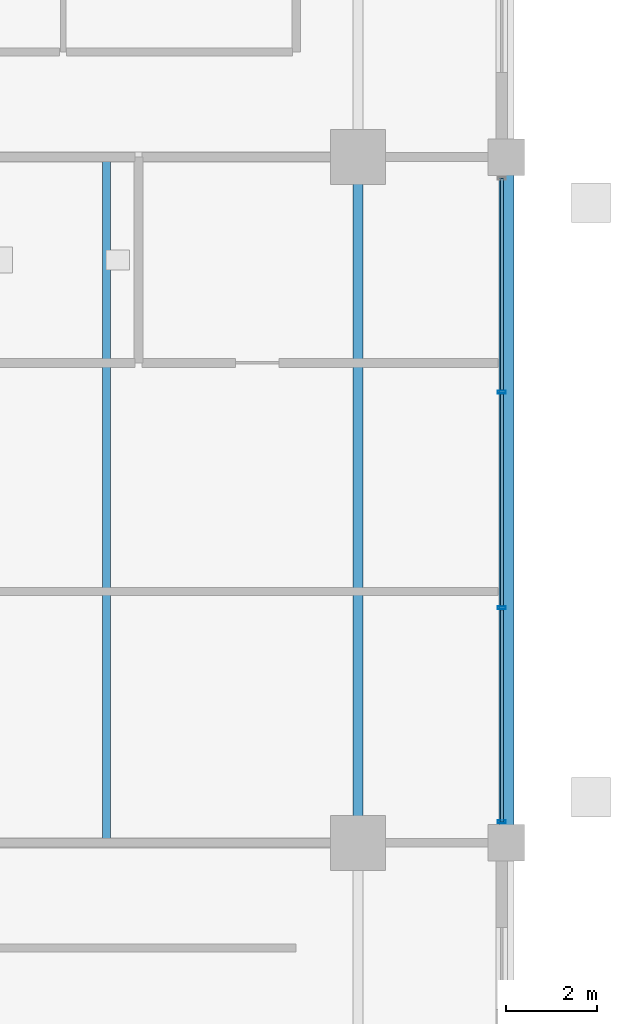
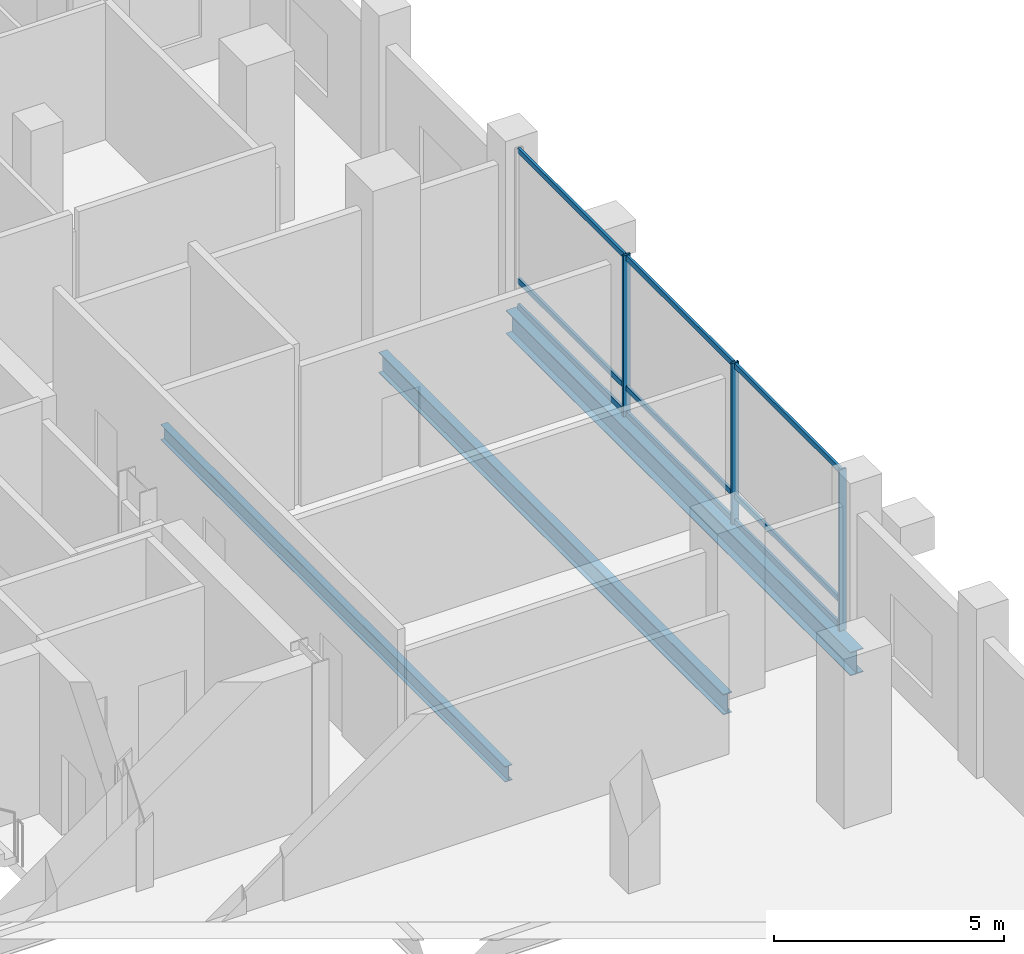
# One storey, part 7 of 19: 12 members, 3 beams, 1 element without a shape of its own.
"""IFC4 building model written with IfcOpenShell, lengths in metres."""

import ifcopenshell
import ifcopenshell.guid

model = None  # the IFC model being written
_history = None  # IfcOwnerHistory: only IFC2X3 demands one
_inside = {}  # id of a spatial element -> (the spatial element, [elements in it])
_under = {}  # id of a project, library or spatial element -> (it, [spatial elements below it])
_declared = {}  # id of a project -> (the project, [libraries it declares])
_typed = {}  # id of a type object -> (the type object, [elements of that type])
_made_of = {}  # id of a material, layer set ... -> (it, [elements and type objects made of it])


def new_model(schema):
    """Start an empty IFC model of exactly this schema.

    Asked for "IFC4X3", IfcOpenShell would pick the latest addendum, in which some entities
    have other attributes; the version numbers below select the first issue.
    IFC2X3 requires an IfcOwnerHistory on every rooted entity: one is made here for all.
    """
    global model, _history
    if schema == "IFC4X3":
        model = ifcopenshell.file(schema_version=(4, 3, 0, 0))
    else:
        model = ifcopenshell.file(schema=schema)
    _inside.clear()
    _under.clear()
    _declared.clear()
    _typed.clear()
    _made_of.clear()
    _history = None
    if model.schema == "IFC2X3":
        org = make("IfcOrganization", Name="unknown")
        user = make(
            "IfcPersonAndOrganization",
            ThePerson=make("IfcPerson", FamilyName="unknown"),
            TheOrganization=org,
        )
        app = make(
            "IfcApplication",
            ApplicationDeveloper=org,
            Version="unknown",
            ApplicationFullName="unknown",
            ApplicationIdentifier="unknown",
        )
        _history = make(
            "IfcOwnerHistory",
            OwningUser=user,
            OwningApplication=app,
            ChangeAction="ADDED",
            CreationDate=0,
        )
    return model


def make(cls, **values):
    """One entity of the class cls with the attributes given. An attribute that is None is left unset."""
    return model.create_entity(
        cls, **{name: value for name, value in values.items() if value is not None}
    )


def rooted(cls, **values):
    """An entity with a GlobalId (a new one), such as an element, a storey or a relation."""
    return make(cls, GlobalId=ifcopenshell.guid.new(), OwnerHistory=_history, **values)


def si_unit(unit_type, name, prefix=None):
    """IfcSIUnit, for example si_unit("LENGTHUNIT", "METRE", prefix="MILLI")."""
    return make("IfcSIUnit", UnitType=unit_type, Prefix=prefix, Name=name)


def assignment(units):
    """IfcUnitAssignment: the units of a project."""
    return None if units is None else make("IfcUnitAssignment", Units=units)


def point(xyz):
    """IfcCartesianPoint."""
    return None if xyz is None else make("IfcCartesianPoint", Coordinates=xyz)


def direction(xyz):
    """IfcDirection."""
    return None if xyz is None else make("IfcDirection", DirectionRatios=xyz)


def frame(location, z_axis=None, x_axis=None):
    """IfcAxis2Placement3D, a coordinate frame: its origin and axes. An axis left out is left unset."""
    return make(
        "IfcAxis2Placement3D",
        Location=point(location),
        Axis=direction(z_axis),
        RefDirection=direction(x_axis),
    )


def frame_2d(location, x_axis=None):
    """IfcAxis2Placement2D, a coordinate frame in the plane: its origin and x axis."""
    return make(
        "IfcAxis2Placement2D", Location=point(location), RefDirection=direction(x_axis)
    )


def origin():
    """The frame at (0, 0, 0) with its axes left unset."""
    return frame((0.0, 0.0, 0.0))


def origin_2d():
    """The frame at (0, 0) in the plane with its x axis left unset."""
    return frame_2d((0.0, 0.0))


def place(relative_to, where):
    """IfcLocalPlacement: puts the frame where relative to a parent placement (None: the world)."""
    return make(
        "IfcLocalPlacement", PlacementRelTo=relative_to, RelativePlacement=where
    )


def context(
    kind, dimensions, precision=None, world=None, true_north=None, identifier=None
):
    """IfcGeometricRepresentationContext, for example the 3D "Model" context."""
    return make(
        "IfcGeometricRepresentationContext",
        ContextIdentifier=identifier,
        ContextType=kind,
        CoordinateSpaceDimension=dimensions,
        Precision=precision,
        WorldCoordinateSystem=world,
        TrueNorth=true_north,
    )


def subcontext(parent, identifier, kind, view, scale=None):
    """IfcGeometricRepresentationSubContext, for example "Body" below "Model"."""
    return make(
        "IfcGeometricRepresentationSubContext",
        ContextIdentifier=identifier,
        ContextType=kind,
        ParentContext=parent,
        TargetScale=scale,
        TargetView=view,
    )


def project(units=None, contexts=None):
    """IfcProject with its units and contexts."""
    return rooted(
        "IfcProject",
        Name="project",
        RepresentationContexts=contexts,
        UnitsInContext=assignment(units),
    )


def spatial(cls, under=None, at=None, **own):
    """A site, building, storey or space (cls), placed at a placement, below another one or the project."""
    s = rooted(cls, ObjectPlacement=at, **own)
    if under is not None:
        _under.setdefault(under.id(), (under, []))[1].append(s)
    return s


def profile(cls, at=None, kind="AREA", **sizes):
    """A parametric profile (cls). Its sizes go by their IFC names, for example OverallWidth=200.0."""
    return make(cls, ProfileType=kind, Position=at, **sizes)


def hollow_rectangle(**sizes):
    """IfcRectangleHollowProfileDef."""
    return profile("IfcRectangleHollowProfileDef", **sizes)


def i_section(**sizes):
    """IfcIShapeProfileDef."""
    return profile("IfcIShapeProfileDef", **sizes)


def extrude(swept, where, along, depth):
    """IfcExtrudedAreaSolid: the profile swept, set in the frame where, extruded along a direction by depth."""
    return make(
        "IfcExtrudedAreaSolid",
        SweptArea=swept,
        Position=where,
        ExtrudedDirection=direction(along),
        Depth=depth,
    )


def shape(context_of_items, identifier, shape_type, items):
    """IfcShapeRepresentation: the items that make up one representation, for example the "Body"."""
    return make(
        "IfcShapeRepresentation",
        ContextOfItems=context_of_items,
        RepresentationIdentifier=identifier,
        RepresentationType=shape_type,
        Items=items,
    )


def material(Name=None, Category=None):
    """IfcMaterial."""
    return make("IfcMaterial", Name=Name, Category=Category)


def layer(
    of_material, thickness, ventilated=None, Name=None, Category=None, Priority=None
):
    """IfcMaterialLayer: one layer of a wall or slab, of a material (None: an air gap)."""
    return make(
        "IfcMaterialLayer",
        Material=of_material,
        LayerThickness=thickness,
        IsVentilated=ventilated,
        Name=Name,
        Category=Category,
        Priority=Priority,
    )


def layer_set(layers, Name=None):
    """IfcMaterialLayerSet."""
    return make("IfcMaterialLayerSet", MaterialLayers=layers, LayerSetName=Name)


def material_profile(
    of_material, cross_section, Name=None, Category=None, Priority=None
):
    """IfcMaterialProfile: a cross section and its material."""
    return make(
        "IfcMaterialProfile",
        Name=Name,
        Material=of_material,
        Profile=cross_section,
        Priority=Priority,
        Category=Category,
    )


def profile_set(profiles, Name=None, composite=None):
    """IfcMaterialProfileSet."""
    return make(
        "IfcMaterialProfileSet",
        Name=Name,
        MaterialProfiles=profiles,
        CompositeProfile=composite,
    )


def made_of(thing, what):
    """Note that an element or type object is made of a material, layer set ...; save() writes the relation."""
    if what is not None:
        _made_of.setdefault(what.id(), (what, []))[1].append(thing)
    return thing


def type_object(cls, material=None, **own):
    """A type object (cls), such as IfcWallType, which elements share."""
    return made_of(rooted(cls, **own), material)


def element(
    cls,
    number,
    at=None,
    inside=None,
    cuts=None,
    type_object=None,
    material=None,
    context=None,
    identifier="Body",
    shape_type=None,
    held_by="IfcProductDefinitionShape",
    body=None,
    shapes=None,
    **own,
):
    """One element of the class cls, such as IfcWall. Its Tag is "e" and its number.

    at: its placement. inside: the storey or other place that contains it. cuts: it is an
    opening in that element (IfcRelVoidsElement). A single representation is given by context,
    identifier, shape_type and body (its items); several are given by shapes. held_by: the class
    of the entity that holds the representations. save() writes the other relations.
    """
    e = rooted(cls, Tag="e%d" % number, ObjectPlacement=at, **own)
    if body is not None:
        shapes = [shape(context, identifier, shape_type, body)]
    if shapes is not None:
        e.Representation = make(held_by, Representations=shapes)
    if inside is not None:
        _inside.setdefault(inside.id(), (inside, []))[1].append(e)
    if cuts is not None:
        rooted(
            "IfcRelVoidsElement", RelatingBuildingElement=cuts, RelatedOpeningElement=e
        )
    if type_object is not None:
        _typed.setdefault(type_object.id(), (type_object, []))[1].append(e)
    return made_of(e, material)


def aggregate(whole, parts):
    """IfcRelAggregates: a whole, such as a stair, and the parts it consists of."""
    return rooted("IfcRelAggregates", RelatingObject=whole, RelatedObjects=parts)


def save(model, path):
    """Write the relations noted so far, then the file.

    IfcRelAggregates (storeys below a building ...), IfcRelContainedInSpatialStructure (elements
    in a storey), IfcRelDefinesByType, IfcRelAssociatesMaterial and IfcRelDeclares: one each for
    every whole, place, type object, material and project.
    """
    for whole, parts in _under.values():
        aggregate(whole, parts)
    for where, things in _inside.values():
        rooted(
            "IfcRelContainedInSpatialStructure",
            RelatedElements=things,
            RelatingStructure=where,
        )
    for kind, things in _typed.values():
        rooted("IfcRelDefinesByType", RelatedObjects=things, RelatingType=kind)
    for what, things in _made_of.values():
        rooted("IfcRelAssociatesMaterial", RelatedObjects=things, RelatingMaterial=what)
    for by, libraries in _declared.values():
        rooted("IfcRelDeclares", RelatingContext=by, RelatedDefinitions=libraries)
    model.write(path)


model = new_model("IFC4")

# Units and contexts
model_context = context("Model", 3, precision=1e-05, world=origin(), true_north=direction((0.0, 1.0)))
body_context = subcontext(model_context, "Body", "Model", "MODEL_VIEW")
ifc_project = project(units=[si_unit("LENGTHUNIT", "METRE"), si_unit("AREAUNIT", "SQUARE_METRE"), si_unit("VOLUMEUNIT", "CUBIC_METRE"), si_unit("PLANEANGLEUNIT", "RADIAN"), si_unit("MASSUNIT", "GRAM", prefix="KILO")], contexts=[model_context])

# Site, building, storey
site_placement = place(None, origin())
site = spatial("IfcSite", under=ifc_project, at=site_placement, CompositionType="ELEMENT")
building_placement = place(site_placement, origin())
building = spatial("IfcBuilding", under=site, at=building_placement, Name="Barlavira Tower and Art Museum", CompositionType="ELEMENT")
storey_placement = place(building_placement, frame((0.0, 0.0, 125.10009765625)))
storey = spatial("IfcBuildingStorey", under=building, at=storey_placement, Name="L31", CompositionType="ELEMENT", Elevation=125.10009765625)

# Curtain wall, members
ifc_material_1 = material(Name="Low-iron coastal laminated glass", Category="glass")
ifc_layer = layer(ifc_material_1, 0.18994140625, Name="Low-iron coastal laminated glass")
ifc_layer_set = layer_set([ifc_layer], Name="Low-iron coastal laminated glass")
curtain_wall_type = type_object("IfcCurtainWallType", Name="Pale-Metal Unitised Curtain Wall Zone 2", PredefinedType="NOTDEFINED", material=ifc_layer_set)
curtain_wall_placement = place(storey_placement, origin())
curtain_wall = element("IfcCurtainWall", 1, at=curtain_wall_placement, inside=storey, type_object=curtain_wall_type, Name="L31 Curtain Wall CW2-L31-E-B3", PredefinedType="NOTDEFINED")
ifc_material_2 = material(Name="Pale anodised aluminium", Category="aluminium")
ifc_material_profile_1 = material_profile(ifc_material_2, hollow_rectangle(XDim=0.06494140625, YDim=0.179931640625, WallThickness=0.00390625, at=origin_2d()), Name="ALU-MULL 65x180x4")
ifc_profile_set_1 = profile_set([ifc_material_profile_1], Name="Pale anodised aluminium")
member_type_1 = type_object("IfcMemberType", Name="Curtain Wall Pale-Metal Mullion 65x180", PredefinedType="MULLION", material=ifc_profile_set_1)
member_1_placement = place(storey_placement, frame((20.14990234375, -7.034912109375, 0.0), z_axis=(0.0, 0.0, 1.0), x_axis=(0.0, 1.0, 0.0)))
member_1 = element("IfcMember", 2, at=member_1_placement, type_object=member_type_1, Name="CW2-L31-E-B3 Mullion 0", PredefinedType="MULLION", context=body_context, shape_type="SweptSolid", body=[
    extrude(hollow_rectangle(XDim=0.06494140625, YDim=0.179931640625, WallThickness=0.00390625, at=origin_2d()), origin(), (0.0, 0.0, 1.0), 4.27978515625),
])
member_2_placement = place(storey_placement, frame((20.14990234375, -2.360107421875, 0.0), z_axis=(0.0, 0.0, 1.0), x_axis=(0.0, 1.0, 0.0)))
member_2 = element("IfcMember", 3, at=member_2_placement, type_object=member_type_1, Name="CW2-L31-E-B3 Mullion 1", PredefinedType="MULLION", context=body_context, shape_type="SweptSolid", body=[
    extrude(hollow_rectangle(XDim=0.06494140625, YDim=0.179931640625, WallThickness=0.00390625, at=origin_2d()), origin(), (0.0, 0.0, 1.0), 4.27978515625),
])
member_3_placement = place(storey_placement, frame((20.14990234375, 2.360107421875, 0.0), z_axis=(0.0, 0.0, 1.0), x_axis=(0.0, 1.0, 0.0)))
member_3 = element("IfcMember", 4, at=member_3_placement, type_object=member_type_1, Name="CW2-L31-E-B3 Mullion 2", PredefinedType="MULLION", context=body_context, shape_type="SweptSolid", body=[
    extrude(hollow_rectangle(XDim=0.06494140625, YDim=0.179931640625, WallThickness=0.00390625, at=origin_2d()), origin(), (0.0, 0.0, 1.0), 4.27978515625),
])
ifc_material_profile_2 = material_profile(ifc_material_2, hollow_rectangle(XDim=0.06494140625, YDim=0.139892578125, WallThickness=0.00390625, at=origin_2d()), Name="ALU-TRAN 65x140x4")
ifc_profile_set_2 = profile_set([ifc_material_profile_2], Name="Pale anodised aluminium")
member_type_2 = type_object("IfcMemberType", Name="Curtain Wall Pale-Metal Transom 65x140", PredefinedType="USERDEFINED", material=ifc_profile_set_2)
member_4_placement = place(storey_placement, frame((20.14990234375, -7.034912109375, 0.06982421875), z_axis=(0.0, 1.0, 0.0), x_axis=(-1.0, 0.0, 0.0)))
member_4 = element("IfcMember", 5, at=member_4_placement, type_object=member_type_2, Name="CW2-L31-E-B3 Transom 0.1", ObjectType="TRANSOM", PredefinedType="USERDEFINED", context=body_context, shape_type="SweptSolid", body=[
    extrude(hollow_rectangle(XDim=0.06494140625, YDim=0.139892578125, WallThickness=0.00390625, at=origin_2d()), origin(), (0.0, 0.0, 1.0), 4.6298828125),
])
member_5_placement = place(storey_placement, frame((20.14990234375, -7.034912109375, 0.75), z_axis=(0.0, 1.0, 0.0), x_axis=(-1.0, 0.0, 0.0)))
member_5 = element("IfcMember", 6, at=member_5_placement, type_object=member_type_2, Name="CW2-L31-E-B3 Transom 0.2", ObjectType="TRANSOM", PredefinedType="USERDEFINED", context=body_context, shape_type="SweptSolid", body=[
    extrude(hollow_rectangle(XDim=0.06494140625, YDim=0.139892578125, WallThickness=0.00390625, at=origin_2d()), origin(), (0.0, 0.0, 1.0), 4.6298828125),
])
member_6_placement = place(storey_placement, frame((20.14990234375, -7.034912109375, 4.2099609375), z_axis=(0.0, 1.0, 0.0), x_axis=(-1.0, 0.0, 0.0)))
member_6 = element("IfcMember", 7, at=member_6_placement, type_object=member_type_2, Name="CW2-L31-E-B3 Transom 0.3", ObjectType="TRANSOM", PredefinedType="USERDEFINED", context=body_context, shape_type="SweptSolid", body=[
    extrude(hollow_rectangle(XDim=0.06494140625, YDim=0.139892578125, WallThickness=0.00390625, at=origin_2d()), origin(), (0.0, 0.0, 1.0), 4.6298828125),
])
member_7_placement = place(storey_placement, frame((20.14990234375, -2.31494140625, 0.06982421875), z_axis=(0.0, 1.0, 0.0), x_axis=(-1.0, 0.0, 0.0)))
member_7 = element("IfcMember", 8, at=member_7_placement, type_object=member_type_2, Name="CW2-L31-E-B3 Transom 1.1", ObjectType="TRANSOM", PredefinedType="USERDEFINED", context=body_context, shape_type="SweptSolid", body=[
    extrude(hollow_rectangle(XDim=0.06494140625, YDim=0.139892578125, WallThickness=0.00390625, at=origin_2d()), origin(), (0.0, 0.0, 1.0), 4.6298828125),
])
member_8_placement = place(storey_placement, frame((20.14990234375, -2.31494140625, 0.75), z_axis=(0.0, 1.0, 0.0), x_axis=(-1.0, 0.0, 0.0)))
member_8 = element("IfcMember", 9, at=member_8_placement, type_object=member_type_2, Name="CW2-L31-E-B3 Transom 1.2", ObjectType="TRANSOM", PredefinedType="USERDEFINED", context=body_context, shape_type="SweptSolid", body=[
    extrude(hollow_rectangle(XDim=0.06494140625, YDim=0.139892578125, WallThickness=0.00390625, at=origin_2d()), origin(), (0.0, 0.0, 1.0), 4.6298828125),
])
member_9_placement = place(storey_placement, frame((20.14990234375, -2.31494140625, 4.2099609375), z_axis=(0.0, 1.0, 0.0), x_axis=(-1.0, 0.0, 0.0)))
member_9 = element("IfcMember", 10, at=member_9_placement, type_object=member_type_2, Name="CW2-L31-E-B3 Transom 1.3", ObjectType="TRANSOM", PredefinedType="USERDEFINED", context=body_context, shape_type="SweptSolid", body=[
    extrude(hollow_rectangle(XDim=0.06494140625, YDim=0.139892578125, WallThickness=0.00390625, at=origin_2d()), origin(), (0.0, 0.0, 1.0), 4.6298828125),
])
member_10_placement = place(storey_placement, frame((20.14990234375, 2.405029296875, 0.06982421875), z_axis=(0.0, 1.0, 0.0), x_axis=(-1.0, 0.0, 0.0)))
member_10 = element("IfcMember", 11, at=member_10_placement, type_object=member_type_2, Name="CW2-L31-E-B3 Transom 2.1", ObjectType="TRANSOM", PredefinedType="USERDEFINED", context=body_context, shape_type="SweptSolid", body=[
    extrude(hollow_rectangle(XDim=0.06494140625, YDim=0.139892578125, WallThickness=0.00390625, at=origin_2d()), origin(), (0.0, 0.0, 1.0), 4.6298828125),
])
member_11_placement = place(storey_placement, frame((20.14990234375, 2.405029296875, 0.75), z_axis=(0.0, 1.0, 0.0), x_axis=(-1.0, 0.0, 0.0)))
member_11 = element("IfcMember", 12, at=member_11_placement, type_object=member_type_2, Name="CW2-L31-E-B3 Transom 2.2", ObjectType="TRANSOM", PredefinedType="USERDEFINED", context=body_context, shape_type="SweptSolid", body=[
    extrude(hollow_rectangle(XDim=0.06494140625, YDim=0.139892578125, WallThickness=0.00390625, at=origin_2d()), origin(), (0.0, 0.0, 1.0), 4.6298828125),
])
member_12_placement = place(storey_placement, frame((20.14990234375, 2.405029296875, 4.2099609375), z_axis=(0.0, 1.0, 0.0), x_axis=(-1.0, 0.0, 0.0)))
member_12 = element("IfcMember", 13, at=member_12_placement, type_object=member_type_2, Name="CW2-L31-E-B3 Transom 2.3", ObjectType="TRANSOM", PredefinedType="USERDEFINED", context=body_context, shape_type="SweptSolid", body=[
    extrude(hollow_rectangle(XDim=0.06494140625, YDim=0.139892578125, WallThickness=0.00390625, at=origin_2d()), origin(), (0.0, 0.0, 1.0), 4.6298828125),
])
aggregate(curtain_wall, [member_1, member_2, member_3, member_4, member_5, member_6, member_7, member_8, member_9, member_10, member_11, member_12])

# Beams
ifc_material_3 = material(Name="Steel S355", Category="steel")
ifc_material_profile_3 = material_profile(ifc_material_3, i_section(OverallWidth=0.327880859375, OverallDepth=0.62890625, WebThickness=0.013916015625, FlangeThickness=0.021484375, at=origin_2d()), Name="W610x174.0")
ifc_profile_set_3 = profile_set([ifc_material_profile_3], Name="Steel S355")
beam_type_1 = type_object("IfcBeamType", Name="Perimeter Spandrel Edge Beam W610x174 Steel S355", PredefinedType="SPANDREL", material=ifc_profile_set_3)
beam_1_placement = place(storey_placement, frame((20.25, -7.5, -0.614501953125), z_axis=(0.0, 1.0, 0.0), x_axis=(-1.0, 0.0, 0.0)))
element("IfcBeam", 14, at=beam_1_placement, inside=storey, type_object=beam_type_1, Name="L31 Spandrel 6", PredefinedType="SPANDREL", context=body_context, shape_type="SweptSolid", body=[
    extrude(i_section(OverallWidth=0.327880859375, OverallDepth=0.62890625, WebThickness=0.013916015625, FlangeThickness=0.021484375, at=origin_2d()), origin(), (0.0, 0.0, 1.0), 15.0),
])
ifc_material_profile_4 = material_profile(ifc_material_3, i_section(OverallWidth=0.214111328125, OverallDepth=0.549072265625, WebThickness=0.0146484375, FlangeThickness=0.023681640625, at=origin_2d()), Name="W530x138.0")
ifc_profile_set_4 = profile_set([ifc_material_profile_4], Name="Steel S355")
beam_type_2 = type_object("IfcBeamType", Name="Zone 1 Primary Floor Girder W530x138 Steel S355", PredefinedType="BEAM", material=ifc_profile_set_4)
beam_2_placement = place(storey_placement, frame((17.0, -7.5, -0.57470703125), z_axis=(0.0, 1.0, 0.0), x_axis=(-1.0, 0.0, 0.0)))
element("IfcBeam", 15, at=beam_2_placement, inside=storey, type_object=beam_type_2, Name="L31 Girder M-E2", PredefinedType="BEAM", context=body_context, shape_type="SweptSolid", body=[
    extrude(i_section(OverallWidth=0.214111328125, OverallDepth=0.549072265625, WebThickness=0.0146484375, FlangeThickness=0.023681640625, at=origin_2d()), origin(), (0.0, 0.0, 1.0), 15.0),
])
ifc_material_profile_5 = material_profile(ifc_material_3, i_section(OverallWidth=0.179931640625, OverallDepth=0.4130859375, WebThickness=0.009765625, FlangeThickness=0.01611328125, at=origin_2d()), Name="W410x75.0")
ifc_profile_set_5 = profile_set([ifc_material_profile_5], Name="Steel S355")
beam_type_3 = type_object("IfcBeamType", Name="Zone 2 Composite Floor Joist W410x75 Steel S355", PredefinedType="JOIST", material=ifc_profile_set_5)
beam_3_placement = place(storey_placement, frame((11.5, -7.5, -0.506591796875), z_axis=(0.0, 1.0, 0.0), x_axis=(-1.0, 0.0, 0.0)))
element("IfcBeam", 16, at=beam_3_placement, inside=storey, type_object=beam_type_3, Name="L31 Joist W2", PredefinedType="JOIST", context=body_context, shape_type="SweptSolid", body=[
    extrude(i_section(OverallWidth=0.179931640625, OverallDepth=0.4130859375, WebThickness=0.009765625, FlangeThickness=0.01611328125, at=origin_2d()), origin(), (0.0, 0.0, 1.0), 15.0),
])

save(model, "model.ifc")
